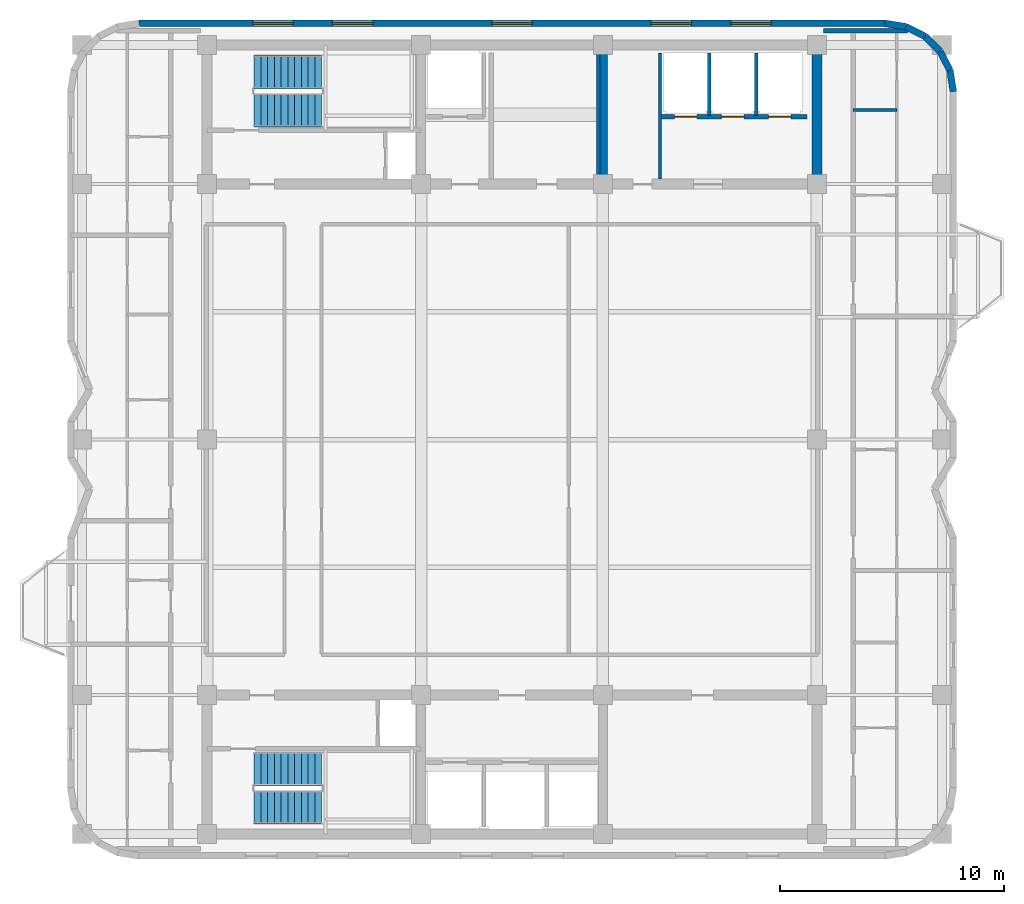
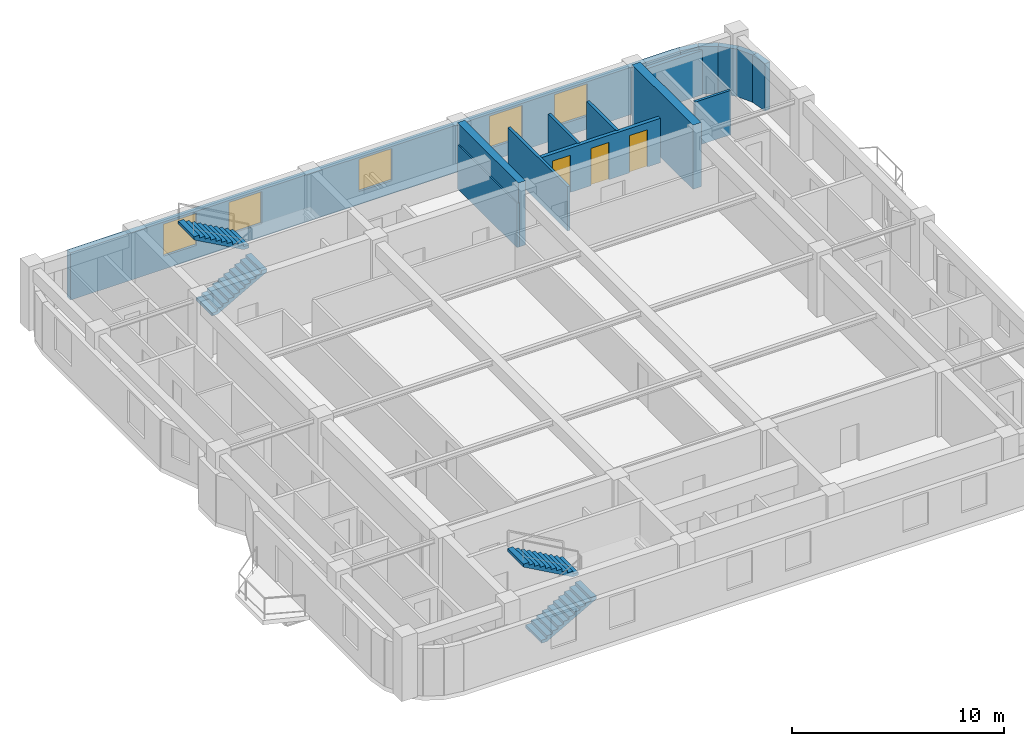
# One storey, part 6 of 8: 15 walls, 5 windows, 4 stair flights, 3 doors, 8 openings, 2 elements without a shape of their own.
"""IFC4 building model written with IfcOpenShell, lengths in metres."""

from ifc_helpers import new_model, si_unit, direction, frame, frame_2d, origin, place, context, subcontext, project, spatial, polyline, rectangle, outline, extrude, material, layer, layer_set, type_object, element, fill, aggregate, save


model = new_model("IFC4")

# Units and contexts
model_context = context("Model", 3, precision=1e-05, world=origin(), true_north=direction((0.0, 1.0)))
body_context = subcontext(model_context, "Body", "Model", "MODEL_VIEW")
ifc_project = project(units=[si_unit("LENGTHUNIT", "METRE"), si_unit("AREAUNIT", "SQUARE_METRE"), si_unit("VOLUMEUNIT", "CUBIC_METRE"), si_unit("PLANEANGLEUNIT", "RADIAN"), si_unit("MASSUNIT", "GRAM", prefix="KILO")], contexts=[model_context])

# Site, building, storey
site_placement = place(None, origin())
site = spatial("IfcSite", under=ifc_project, at=site_placement, CompositionType="ELEMENT")
building_placement = place(site_placement, origin())
building = spatial("IfcBuilding", under=site, at=building_placement, Name="Svetorya Sky Lyceum", CompositionType="ELEMENT")
storey_placement = place(building_placement, frame((0.0, 0.0, 229.5)))
storey = spatial("IfcBuildingStorey", under=building, at=storey_placement, Name="L57", CompositionType="ELEMENT", Elevation=229.5)

# Walls
ifc_material_1 = material(Name="Concrete C40/50", Category="concrete")
ifc_layer_1 = layer(ifc_material_1, 0.39990234375)
ifc_layer_set_1 = layer_set([ifc_layer_1], Name="Concrete C40/50")
wall_type_1 = type_object("IfcWallType", Name="WL-CORE-400", PredefinedType="SHEAR", material=ifc_layer_set_1)
wall_1_placement = place(storey_placement, frame((43.25, 39.824951171875, 0.0), z_axis=(0.0, 0.0, 1.0), x_axis=(0.0, 1.0, 0.0)))
element("IfcWall", 1, at=wall_1_placement, inside=storey, type_object=wall_type_1, Name="L57 NC Internal Shear Web WEB2", PredefinedType="SHEAR", context=body_context, shape_type="SweptSolid", body=[
    extrude(rectangle(XDim=5.75, YDim=0.39990234375, at=frame_2d((2.875, 0.0))), origin(), (0.0, 0.0, 1.0), 3.699951171875),
])
ifc_material_2 = material(Name="Concrete C50/60", Category="concrete")
ifc_layer_2 = layer(ifc_material_2, 0.449951171875)
ifc_layer_set_2 = layer_set([ifc_layer_2], Name="Concrete C50/60")
wall_type_2 = type_object("IfcWallType", Name="WL-CORE-450", PredefinedType="SHEAR", material=ifc_layer_set_2)
wall_2_placement = place(storey_placement, frame((52.800048828125, 39.824951171875, 0.0), z_axis=(0.0, 0.0, 1.0), x_axis=(0.0, 1.0, 0.0)))
element("IfcWall", 2, at=wall_2_placement, inside=storey, type_object=wall_type_2, Name="L57 NC East Core Shear Wall", PredefinedType="SHEAR", context=body_context, shape_type="SweptSolid", body=[
    extrude(rectangle(XDim=5.75, YDim=0.449951171875, at=frame_2d((2.875, 0.0))), origin(), (0.0, 0.0, 1.0), 3.699951171875),
])
ifc_material_3 = material(Name="Putilovo limestone rainscreen on autoclaved cellular masonry", Category="masonry")
ifc_layer_3 = layer(ifc_material_3, 0.300048828125)
ifc_layer_set_3 = layer_set([ifc_layer_3], Name="Putilovo limestone rainscreen on autoclaved cellular masonry")
wall_type_3 = type_object("IfcWallType", Name="WL-EXT-300", PredefinedType="SOLIDWALL", material=ifc_layer_set_3)
wall_3_placement = place(storey_placement, frame((58.889892578125, 43.719970703125, 0.0), z_axis=(0.0, 0.0, 1.0), x_axis=(-0.156304114255, 0.987708977314, 0.0)))
element("IfcWall", 3, at=wall_3_placement, inside=storey, type_object=wall_type_3, Name="L57 Limestone Exterior Wall 19M", PredefinedType="SOLIDWALL", context=body_context, shape_type="SweptSolid", body=[
    extrude(rectangle(XDim=0.954345703125, YDim=0.300048828125, at=frame_2d((0.47705078125, 0.0))), origin(), (0.0, 0.0, 1.0), 2.72998046875),
])
wall_4_placement = place(storey_placement, frame((58.74072265625, 44.66259765625, 0.0), z_axis=(0.0, 0.0, 1.0), x_axis=(-0.45395644796, 0.891023873617, 0.0)))
element("IfcWall", 4, at=wall_4_placement, inside=storey, type_object=wall_type_3, Name="L57 Limestone Exterior Wall 20M", PredefinedType="SOLIDWALL", context=body_context, shape_type="SweptSolid", body=[
    extrude(rectangle(XDim=0.9541015625, YDim=0.300048828125, at=frame_2d((0.47705078125, 0.0))), origin(), (0.0, 0.0, 1.0), 2.72998046875),
])
for number, where, z_axis, x_axis, name in (
    (5, (58.3076171875, 45.5126953125, 0.0), (0.0, 0.0, 1.0), (-0.707106781187, 0.707106781187, 0.0), "L57 Limestone Exterior Wall 21M"),
    (6, (57.6328125, 46.1875, 0.0), (0.0, 0.0, 1.0), (-0.891076589373, 0.453852962833, 0.0), "L57 Limestone Exterior Wall 22M"),
):
    element("IfcWall", number, at=place(storey_placement, frame(where, z_axis=z_axis, x_axis=x_axis)), inside=storey, type_object=wall_type_3, Name=name, PredefinedType="SOLIDWALL", context=body_context, shape_type="SweptSolid", body=[
        extrude(rectangle(XDim=0.954345703125, YDim=0.300048828125, at=frame_2d((0.47705078125, 0.0))), origin(), (0.0, 0.0, 1.0), 2.72998046875),
    ])
wall_5_placement = place(storey_placement, frame((56.782470703125, 46.62060546875, 0.0), z_axis=(0.0, 0.0, 1.0), x_axis=(-0.987663181641, 0.156593229835, 0.0)))
element("IfcWall", 7, at=wall_5_placement, inside=storey, type_object=wall_type_3, Name="L57 Limestone Exterior Wall 23M", PredefinedType="SOLIDWALL", context=body_context, shape_type="SweptSolid", body=[
    extrude(rectangle(XDim=0.9541015625, YDim=0.300048828125, at=frame_2d((0.47705078125, 0.0))), origin(), (0.0, 0.0, 1.0), 2.72998046875),
])

# Wall, openings, windows
wall_6_placement = place(storey_placement, frame((55.840087890625, 46.77001953125, 0.0), z_axis=(0.0, 0.0, 1.0), x_axis=(-1.0, 0.0, 0.0)))
wall_6 = element("IfcWall", 8, at=wall_6_placement, inside=storey, type_object=wall_type_3, Name="L57 Limestone Exterior Wall 24M", PredefinedType="SOLIDWALL", context=body_context, shape_type="SweptSolid", body=[
    extrude(rectangle(XDim=33.280029296875, YDim=0.300048828125, at=frame_2d((16.64013671875, 0.0))), origin(), (0.0, 0.0, 1.0), 2.72998046875),
])
opening_1_placement = place(wall_6_placement, frame((5.080078125, 0.0, 0.760009765625)))
opening_1 = element("IfcOpeningElement", 9, at=opening_1_placement, cuts=wall_6, Name="Opening W-R1", PredefinedType="OPENING", context=body_context, shape_type="SweptSolid", body=[
    extrude(rectangle(XDim=1.800048828125, YDim=1.85009765625, at=frame_2d((0.89990234375, 0.925048828125))), frame((0.0, 0.159912109375, 0.0), z_axis=(0.0, -1.0, 0.0), x_axis=(1.0, 0.0, 0.0)), (0.0, 0.0, 1.0), 0.320068359375),
])
opening_2_placement = place(wall_6_placement, frame((8.63330078125, 0.0, 0.760009765625)))
opening_2 = element("IfcOpeningElement", 10, at=opening_2_placement, cuts=wall_6, Name="Opening W-R1", PredefinedType="OPENING", context=body_context, shape_type="SweptSolid", body=[
    extrude(rectangle(XDim=1.800048828125, YDim=1.85009765625, at=frame_2d((0.89990234375, 0.925048828125))), frame((0.0, 0.159912109375, 0.0), z_axis=(0.0, -1.0, 0.0), x_axis=(1.0, 0.0, 0.0)), (0.0, 0.0, 1.0), 0.320068359375),
])
opening_3_placement = place(wall_6_placement, frame((15.739990234375, 0.0, 0.760009765625)))
opening_3 = element("IfcOpeningElement", 11, at=opening_3_placement, cuts=wall_6, Name="Opening W-R1", PredefinedType="OPENING", context=body_context, shape_type="SweptSolid", body=[
    extrude(rectangle(XDim=1.800048828125, YDim=1.85009765625, at=frame_2d((0.89990234375, 0.925048828125))), frame((0.0, 0.159912109375, 0.0), z_axis=(0.0, -1.0, 0.0), x_axis=(1.0, 0.0, 0.0)), (0.0, 0.0, 1.0), 0.320068359375),
])
opening_4_placement = place(wall_6_placement, frame((22.8466796875, 0.0, 0.760009765625)))
opening_4 = element("IfcOpeningElement", 12, at=opening_4_placement, cuts=wall_6, Name="Opening W-R1", PredefinedType="OPENING", context=body_context, shape_type="SweptSolid", body=[
    extrude(rectangle(XDim=1.800048828125, YDim=1.85009765625, at=frame_2d((0.89990234375, 0.925048828125))), frame((0.0, 0.159912109375, 0.0), z_axis=(0.0, -1.0, 0.0), x_axis=(1.0, 0.0, 0.0)), (0.0, 0.0, 1.0), 0.320068359375),
])
opening_5_placement = place(wall_6_placement, frame((26.39990234375, 0.0, 0.760009765625)))
opening_5 = element("IfcOpeningElement", 13, at=opening_5_placement, cuts=wall_6, Name="Opening W-R1", PredefinedType="OPENING", context=body_context, shape_type="SweptSolid", body=[
    extrude(rectangle(XDim=1.800048828125, YDim=1.85009765625, at=frame_2d((0.89990234375, 0.925048828125))), frame((0.0, 0.159912109375, 0.0), z_axis=(0.0, -1.0, 0.0), x_axis=(1.0, 0.0, 0.0)), (0.0, 0.0, 1.0), 0.320068359375),
])
ifc_material_4 = material(Name="Thermally broken aluminium frame with triple low-E glazing", Category="aluminium")
window_type = type_object("IfcWindowType", Name="WN-RES-180", PartitioningType="DOUBLE_PANEL_VERTICAL", PredefinedType="WINDOW", material=ifc_material_4)
window_1_placement = place(opening_1_placement, origin())
window_1 = element("IfcWindow", 14, at=window_1_placement, inside=storey, type_object=window_type, Name="L57 Facade Window W-R1.24M.1", OverallHeight=1.85009765625, OverallWidth=1.800048828125, PartitioningType="SINGLE_PANEL", PredefinedType="WINDOW", context=body_context, shape_type="SweptSolid", body=[
    extrude(rectangle(XDim=1.800048828125, YDim=1.85009765625, at=frame_2d((0.89990234375, 0.925048828125))), frame((0.0, 0.030029296875, 0.0), z_axis=(0.0, -1.0, 0.0), x_axis=(1.0, 0.0, 0.0)), (0.0, 0.0, 1.0), 0.06005859375),
])
fill(opening_1, window_1)
window_2_placement = place(opening_2_placement, origin())
window_2 = element("IfcWindow", 15, at=window_2_placement, inside=storey, type_object=window_type, Name="L57 Facade Window W-R1.24M.2", OverallHeight=1.85009765625, OverallWidth=1.800048828125, PartitioningType="SINGLE_PANEL", PredefinedType="WINDOW", context=body_context, shape_type="SweptSolid", body=[
    extrude(rectangle(XDim=1.800048828125, YDim=1.85009765625, at=frame_2d((0.89990234375, 0.925048828125))), frame((0.0, 0.030029296875, 0.0), z_axis=(0.0, -1.0, 0.0), x_axis=(1.0, 0.0, 0.0)), (0.0, 0.0, 1.0), 0.06005859375),
])
fill(opening_2, window_2)
window_3_placement = place(opening_3_placement, origin())
window_3 = element("IfcWindow", 16, at=window_3_placement, inside=storey, type_object=window_type, Name="L57 Facade Window W-R1.24M.3", OverallHeight=1.85009765625, OverallWidth=1.800048828125, PartitioningType="SINGLE_PANEL", PredefinedType="WINDOW", context=body_context, shape_type="SweptSolid", body=[
    extrude(rectangle(XDim=1.800048828125, YDim=1.85009765625, at=frame_2d((0.89990234375, 0.925048828125))), frame((0.0, 0.030029296875, 0.0), z_axis=(0.0, -1.0, 0.0), x_axis=(1.0, 0.0, 0.0)), (0.0, 0.0, 1.0), 0.06005859375),
])
fill(opening_3, window_3)
window_4_placement = place(opening_4_placement, origin())
window_4 = element("IfcWindow", 17, at=window_4_placement, inside=storey, type_object=window_type, Name="L57 Facade Window W-R1.24M.4", OverallHeight=1.85009765625, OverallWidth=1.800048828125, PartitioningType="SINGLE_PANEL", PredefinedType="WINDOW", context=body_context, shape_type="SweptSolid", body=[
    extrude(rectangle(XDim=1.800048828125, YDim=1.85009765625, at=frame_2d((0.89990234375, 0.925048828125))), frame((0.0, 0.030029296875, 0.0), z_axis=(0.0, -1.0, 0.0), x_axis=(1.0, 0.0, 0.0)), (0.0, 0.0, 1.0), 0.06005859375),
])
fill(opening_4, window_4)
window_5_placement = place(opening_5_placement, origin())
window_5 = element("IfcWindow", 18, at=window_5_placement, inside=storey, type_object=window_type, Name="L57 Facade Window W-R1.24M.5", OverallHeight=1.85009765625, OverallWidth=1.800048828125, PartitioningType="SINGLE_PANEL", PredefinedType="WINDOW", context=body_context, shape_type="SweptSolid", body=[
    extrude(rectangle(XDim=1.800048828125, YDim=1.85009765625, at=frame_2d((0.89990234375, 0.925048828125))), frame((0.0, 0.030029296875, 0.0), z_axis=(0.0, -1.0, 0.0), x_axis=(1.0, 0.0, 0.0)), (0.0, 0.0, 1.0), 0.06005859375),
])
fill(opening_5, window_5)

# Walls
ifc_material_5 = material(Name="Twin-stud galvanized framing with acoustic board", Category="gypsum")
ifc_layer_4 = layer(ifc_material_5, 0.135009765625)
ifc_layer_set_4 = layer_set([ifc_layer_4], Name="Twin-stud galvanized framing with acoustic board")
wall_type_4 = type_object("IfcWallType", Name="WL-PART-135", PredefinedType="PARTITIONING", material=ifc_layer_set_4)
wall_7_placement = place(storey_placement, frame((54.419921875, 42.89990234375, 0.0), z_axis=(0.0, 0.0, 1.0), x_axis=(1.0, 0.0, 0.0)))
element("IfcWall", 19, at=wall_7_placement, inside=storey, type_object=wall_type_4, Name="L57 Interior Partition E3-WH2", PredefinedType="PARTITIONING", context=body_context, shape_type="SweptSolid", body=[
    extrude(rectangle(XDim=1.9501953125, YDim=0.135009765625, at=frame_2d((0.97509765625, 0.0))), origin(), (0.0, 0.0, 1.0), 2.56005859375),
])
ifc_material_6 = material(Name="Autoclaved cellular masonry blockwork with acoustic render", Category="masonry")
ifc_layer_5 = layer(ifc_material_6, 0.14990234375)
ifc_layer_set_5 = layer_set([ifc_layer_5], Name="Autoclaved cellular masonry blockwork with acoustic render")
wall_type_5 = type_object("IfcWallType", Name="WL-PART-150", PredefinedType="PARTITIONING", material=ifc_layer_set_5)
for number, where, z_axis, x_axis, name in (
    (20, (43.050048828125, 39.820068359375, 0.0), (0.0, 0.0, 1.0), (0.0, 1.0, 0.0), "L57 Interior Partition NC-FPM-END"),
    (21, (45.800048828125, 39.820068359375, 0.0), (0.0, 0.0, 1.0), (0.0, 1.0, 0.0), "L57 Interior Partition NC-PM3-FULL"),
):
    element("IfcWall", number, at=place(storey_placement, frame(where, z_axis=z_axis, x_axis=x_axis)), inside=storey, type_object=wall_type_5, Name=name, PredefinedType="PARTITIONING", context=body_context, shape_type="SweptSolid", body=[
        extrude(rectangle(XDim=5.6298828125, YDim=0.14990234375, at=frame_2d((2.81494140625, 0.0))), origin(), (0.0, 0.0, 1.0), 2.56005859375),
    ])
for number, where, z_axis, x_axis, name in (
    (22, (48.0, 42.64990234375, 0.0), (0.0, 0.0, 1.0), (0.0, 1.0, 0.0), "L57 Interior Partition NC-PH-D1"),
    (23, (50.10009765625, 42.64990234375, 0.0), (0.0, 0.0, 1.0), (0.0, 1.0, 0.0), "L57 Interior Partition NC-PH-D2"),
):
    element("IfcWall", number, at=place(storey_placement, frame(where, z_axis=z_axis, x_axis=x_axis)), inside=storey, type_object=wall_type_5, Name=name, PredefinedType="PARTITIONING", context=body_context, shape_type="SweptSolid", body=[
        extrude(rectangle(XDim=2.800048828125, YDim=0.14990234375, at=frame_2d((1.39990234375, 0.0))), origin(), (0.0, 0.0, 1.0), 2.56005859375),
    ])

# Wall, openings, doors
ifc_material_7 = material(Name="Autoclaved cellular masonry blockwork with gypsum plaster", Category="masonry")
ifc_layer_6 = layer(ifc_material_7, 0.199951171875)
ifc_layer_set_6 = layer_set([ifc_layer_6], Name="Autoclaved cellular masonry blockwork with gypsum plaster")
wall_type_6 = type_object("IfcWallType", Name="WL-PART-200", PredefinedType="PARTITIONING", material=ifc_layer_set_6)
wall_8_placement = place(storey_placement, frame((52.35009765625, 42.60009765625, 0.0), z_axis=(0.0, 0.0, 1.0), x_axis=(-1.0, 0.0, 0.0)))
wall_8 = element("IfcWall", 24, at=wall_8_placement, inside=storey, type_object=wall_type_6, Name="L57 Interior Partition NC-PHEW", PredefinedType="PARTITIONING", context=body_context, shape_type="SweptSolid", body=[
    extrude(rectangle(XDim=6.5, YDim=0.199951171875, at=frame_2d((3.25, 0.0))), origin(), (0.0, 0.0, 1.0), 2.56005859375),
])
opening_6_placement = place(wall_8_placement, frame((4.89990234375, 0.0, 0.0)))
opening_6 = element("IfcOpeningElement", 25, at=opening_6_placement, cuts=wall_8, Name="Opening LD-P1", PredefinedType="OPENING", context=body_context, shape_type="SweptSolid", body=[
    extrude(rectangle(XDim=1.0, YDim=2.14990234375, at=frame_2d((0.5, 1.074951171875))), frame((0.0, 0.10986328125, 0.0), z_axis=(0.0, -1.0, 0.0), x_axis=(1.0, 0.0, 0.0)), (0.0, 0.0, 1.0), 0.219970703125),
])
opening_7_placement = place(wall_8_placement, frame((2.800048828125, 0.0, 0.0)))
opening_7 = element("IfcOpeningElement", 26, at=opening_7_placement, cuts=wall_8, Name="Opening LD-P1", PredefinedType="OPENING", context=body_context, shape_type="SweptSolid", body=[
    extrude(rectangle(XDim=1.0, YDim=2.14990234375, at=frame_2d((0.5, 1.074951171875))), frame((0.0, 0.10986328125, 0.0), z_axis=(0.0, -1.0, 0.0), x_axis=(1.0, 0.0, 0.0)), (0.0, 0.0, 1.0), 0.219970703125),
])
opening_8_placement = place(wall_8_placement, frame((0.699951171875, 0.0, 0.0)))
opening_8 = element("IfcOpeningElement", 27, at=opening_8_placement, cuts=wall_8, Name="Opening LD-P1", PredefinedType="OPENING", context=body_context, shape_type="SweptSolid", body=[
    extrude(rectangle(XDim=1.0, YDim=2.14990234375, at=frame_2d((0.5, 1.074951171875))), frame((0.0, 0.10986328125, 0.0), z_axis=(0.0, -1.0, 0.0), x_axis=(1.0, 0.0, 0.0)), (0.0, 0.0, 1.0), 0.219970703125),
])
ifc_material_8 = material(Name="Champagne-anodized stainless passenger lift landing door")
door_type = type_object("IfcDoorType", Name="DR-LIFT-1000", OperationType="SLIDING_TO_LEFT", PredefinedType="DOOR", material=ifc_material_8)
door_1_placement = place(opening_6_placement, origin())
door_1 = element("IfcDoor", 28, at=door_1_placement, inside=storey, type_object=door_type, Name="L57 Passenger Lift PH1 Landing Door", OperationType="SLIDING_TO_LEFT", OverallHeight=2.14990234375, OverallWidth=1.0, PredefinedType="DOOR", context=body_context, shape_type="SweptSolid", body=[
    extrude(rectangle(XDim=1.0, YDim=2.14990234375, at=frame_2d((0.5, 1.074951171875))), frame((0.0, 0.02490234375, 0.0), z_axis=(0.0, -1.0, 0.0), x_axis=(1.0, 0.0, 0.0)), (0.0, 0.0, 1.0), 0.050048828125),
])
fill(opening_6, door_1)
door_2_placement = place(opening_7_placement, origin())
door_2 = element("IfcDoor", 29, at=door_2_placement, inside=storey, type_object=door_type, Name="L57 Passenger Lift PH2 Landing Door", OperationType="SLIDING_TO_LEFT", OverallHeight=2.14990234375, OverallWidth=1.0, PredefinedType="DOOR", context=body_context, shape_type="SweptSolid", body=[
    extrude(rectangle(XDim=1.0, YDim=2.14990234375, at=frame_2d((0.5, 1.074951171875))), frame((0.0, 0.02490234375, 0.0), z_axis=(0.0, -1.0, 0.0), x_axis=(1.0, 0.0, 0.0)), (0.0, 0.0, 1.0), 0.050048828125),
])
fill(opening_7, door_2)
door_3_placement = place(opening_8_placement, origin())
door_3 = element("IfcDoor", 30, at=door_3_placement, inside=storey, type_object=door_type, Name="L57 Passenger Lift PH3 Landing Door", OperationType="SLIDING_TO_LEFT", OverallHeight=2.14990234375, OverallWidth=1.0, PredefinedType="DOOR", context=body_context, shape_type="SweptSolid", body=[
    extrude(rectangle(XDim=1.0, YDim=2.14990234375, at=frame_2d((0.5, 1.074951171875))), frame((0.0, 0.02490234375, 0.0), z_axis=(0.0, -1.0, 0.0), x_axis=(1.0, 0.0, 0.0)), (0.0, 0.0, 1.0), 0.050048828125),
])
fill(opening_8, door_3)

# Wall
wall_9_placement = place(storey_placement, frame((53.10009765625, 46.449951171875, 0.0), z_axis=(0.0, 0.0, 1.0), x_axis=(1.0, 0.0, 0.0)))
element("IfcWall", 31, at=wall_9_placement, inside=storey, type_object=wall_type_6, Name="L57 Interior Partition E-CAP-N", PredefinedType="PARTITIONING", context=body_context, shape_type="SweptSolid", body=[
    extrude(rectangle(XDim=3.75390625, YDim=0.199951171875, at=frame_2d((1.876953125, 0.0))), origin(), (0.0, 0.0, 1.0), 2.56005859375),
])

# Stair, stair flights
stair_type_1 = type_object("IfcStairType", Name="STR-ST-N", PredefinedType="HALF_TURN_STAIR", material=ifc_material_1)
stair_1_placement = place(storey_placement, origin())
stair_1 = element("IfcStair", 32, at=stair_1_placement, inside=storey, type_object=stair_type_1, Name="L57 North Core Smoke-Free Exit Stair N3", PredefinedType="HALF_TURN_STAIR")
stair_flight_type_1 = type_object("IfcStairFlightType", Name="SFL-ST-N", PredefinedType="STRAIGHT", material=ifc_material_1)
stair_flight_1_placement = place(storey_placement, frame((27.699951171875, 42.89990234375, 0.0), z_axis=(0.0, 0.0, 1.0), x_axis=(1.0, 0.0, 0.0)))
stair_flight_1 = element("IfcStairFlight", 33, at=stair_flight_1_placement, type_object=stair_flight_type_1, Name="ST-N flight 1", NumberOfRisers=11, NumberOfTreads=10, PredefinedType="STRAIGHT", RiserHeight=0.168181818, TreadLength=0.3, context=body_context, shape_type="SweptSolid", body=[
    extrude(outline(polyline([(0.0, 0.0), (0.0, 0.168212890625), (0.300048828125, 0.168212890625), (0.300048828125, 0.33642578125), (0.60009765625, 0.33642578125), (0.60009765625, 0.504638671875), (0.89990234375, 0.504638671875), (0.89990234375, 0.672607421875), (1.199951171875, 0.672607421875), (1.199951171875, 0.8408203125), (1.5, 0.8408203125), (1.5, 1.009033203125), (1.800048828125, 1.009033203125), (1.800048828125, 1.17724609375), (2.10009765625, 1.17724609375), (2.10009765625, 1.345458984375), (2.39990234375, 1.345458984375), (2.39990234375, 1.513671875), (2.699951171875, 1.513671875), (2.699951171875, 1.681884765625), (3.0, 1.681884765625), (3.0, 1.85009765625), (3.0, 1.510009765625), (0.306640625, 0.0), (0.0, 0.0)])), frame((0.0, 0.75, 0.0), z_axis=(0.0, -1.0, 0.0), x_axis=(1.0, 0.0, 0.0)), (0.0, 0.0, 1.0), 1.5),
])
stair_flight_2_placement = place(storey_placement, frame((30.699951171875, 44.60009765625, 1.85009765625), z_axis=(0.0, 0.0, 1.0), x_axis=(-1.0, 0.0, 0.0)))
stair_flight_2 = element("IfcStairFlight", 34, at=stair_flight_2_placement, type_object=stair_flight_type_1, Name="ST-N flight 2", NumberOfRisers=11, NumberOfTreads=10, PredefinedType="STRAIGHT", RiserHeight=0.168181818, TreadLength=0.3, context=body_context, shape_type="SweptSolid", body=[
    extrude(outline(polyline([(0.0, 0.0), (0.0, 0.168212890625), (0.300048828125, 0.168212890625), (0.300048828125, 0.33642578125), (0.60009765625, 0.33642578125), (0.60009765625, 0.504638671875), (0.89990234375, 0.504638671875), (0.89990234375, 0.672607421875), (1.199951171875, 0.672607421875), (1.199951171875, 0.8408203125), (1.5, 0.8408203125), (1.5, 1.009033203125), (1.800048828125, 1.009033203125), (1.800048828125, 1.17724609375), (2.10009765625, 1.17724609375), (2.10009765625, 1.345458984375), (2.39990234375, 1.345458984375), (2.39990234375, 1.513671875), (2.699951171875, 1.513671875), (2.699951171875, 1.681884765625), (3.0, 1.681884765625), (3.0, 1.85009765625), (3.0, 1.510009765625), (0.306640625, 0.0), (0.0, 0.0)])), frame((0.0, 0.75, 0.0), z_axis=(0.0, -1.0, 0.0), x_axis=(1.0, 0.0, 0.0)), (0.0, 0.0, 1.0), 1.5),
])
aggregate(stair_1, [stair_flight_1, stair_flight_2])

stair_type_2 = type_object("IfcStairType", Name="STR-ST-S", PredefinedType="HALF_TURN_STAIR", material=ifc_material_1)
stair_2_placement = place(storey_placement, origin())
stair_2 = element("IfcStair", 35, at=stair_2_placement, inside=storey, type_object=stair_type_2, Name="L57 South Core Smoke-Free Exit Stair N2", PredefinedType="HALF_TURN_STAIR")
stair_flight_type_2 = type_object("IfcStairFlightType", Name="SFL-ST-S", PredefinedType="STRAIGHT", material=ifc_material_1)
stair_flight_3_placement = place(storey_placement, frame((27.699951171875, 11.800048828125, 0.0), z_axis=(0.0, 0.0, 1.0), x_axis=(1.0, 0.0, 0.0)))
stair_flight_3 = element("IfcStairFlight", 36, at=stair_flight_3_placement, type_object=stair_flight_type_2, Name="ST-S flight 1", NumberOfRisers=11, NumberOfTreads=10, PredefinedType="STRAIGHT", RiserHeight=0.168181818, TreadLength=0.3, context=body_context, shape_type="SweptSolid", body=[
    extrude(outline(polyline([(0.0, 0.0), (0.0, 0.168212890625), (0.300048828125, 0.168212890625), (0.300048828125, 0.33642578125), (0.60009765625, 0.33642578125), (0.60009765625, 0.504638671875), (0.89990234375, 0.504638671875), (0.89990234375, 0.672607421875), (1.199951171875, 0.672607421875), (1.199951171875, 0.8408203125), (1.5, 0.8408203125), (1.5, 1.009033203125), (1.800048828125, 1.009033203125), (1.800048828125, 1.17724609375), (2.10009765625, 1.17724609375), (2.10009765625, 1.345458984375), (2.39990234375, 1.345458984375), (2.39990234375, 1.513671875), (2.699951171875, 1.513671875), (2.699951171875, 1.681884765625), (3.0, 1.681884765625), (3.0, 1.85009765625), (3.0, 1.510009765625), (0.306640625, 0.0), (0.0, 0.0)])), frame((0.0, 0.75, 0.0), z_axis=(0.0, -1.0, 0.0), x_axis=(1.0, 0.0, 0.0)), (0.0, 0.0, 1.0), 1.5),
])
stair_flight_4_placement = place(storey_placement, frame((30.699951171875, 13.5, 1.85009765625), z_axis=(0.0, 0.0, 1.0), x_axis=(-1.0, 0.0, 0.0)))
stair_flight_4 = element("IfcStairFlight", 37, at=stair_flight_4_placement, type_object=stair_flight_type_2, Name="ST-S flight 2", NumberOfRisers=11, NumberOfTreads=10, PredefinedType="STRAIGHT", RiserHeight=0.168181818, TreadLength=0.3, context=body_context, shape_type="SweptSolid", body=[
    extrude(outline(polyline([(0.0, 0.0), (0.0, 0.168212890625), (0.300048828125, 0.168212890625), (0.300048828125, 0.33642578125), (0.60009765625, 0.33642578125), (0.60009765625, 0.504638671875), (0.89990234375, 0.504638671875), (0.89990234375, 0.672607421875), (1.199951171875, 0.672607421875), (1.199951171875, 0.8408203125), (1.5, 0.8408203125), (1.5, 1.009033203125), (1.800048828125, 1.009033203125), (1.800048828125, 1.17724609375), (2.10009765625, 1.17724609375), (2.10009765625, 1.345458984375), (2.39990234375, 1.345458984375), (2.39990234375, 1.513671875), (2.699951171875, 1.513671875), (2.699951171875, 1.681884765625), (3.0, 1.681884765625), (3.0, 1.85009765625), (3.0, 1.510009765625), (0.306640625, 0.0), (0.0, 0.0)])), frame((0.0, 0.75, 0.0), z_axis=(0.0, -1.0, 0.0), x_axis=(1.0, 0.0, 0.0)), (0.0, 0.0, 1.0), 1.5),
])
aggregate(stair_2, [stair_flight_3, stair_flight_4])

save(model, "model.ifc")
